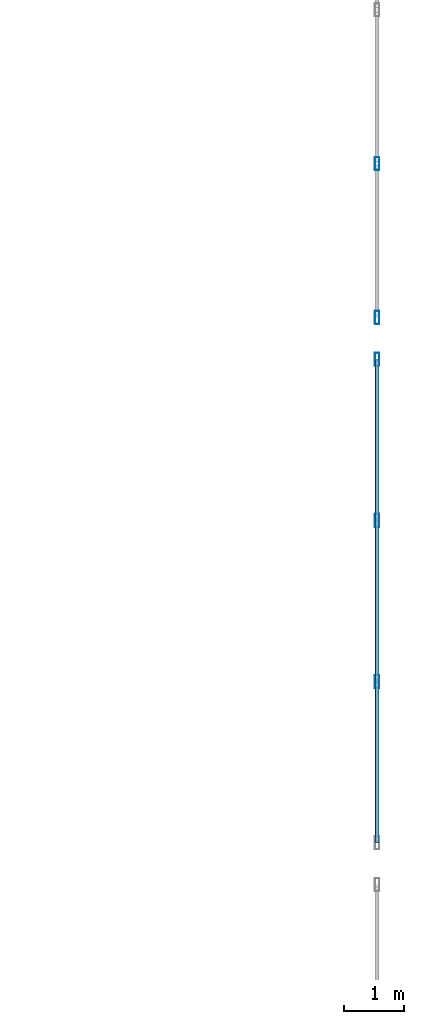
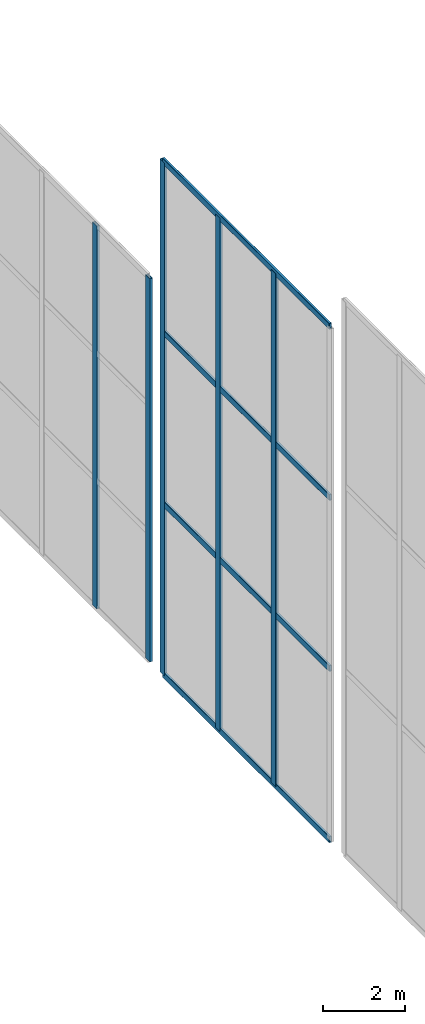
# One storey, part 110 of 163: 9 members, 2 elements without a shape of their own.
"""IFC4 building model written with IfcOpenShell, lengths in metres."""

from ifc_helpers import new_model, si_unit, direction, frame, origin, origin_2d, place, context, subcontext, project, spatial, hollow_rectangle, extrude, material, material_profile, profile_set, type_object, element, aggregate, save


model = new_model("IFC4")

# Units and contexts
model_context = context("Model", 3, precision=1e-05, world=origin(), true_north=direction((0.0, 1.0)))
body_context = subcontext(model_context, "Body", "Model", "MODEL_VIEW")
ifc_project = project(units=[si_unit("LENGTHUNIT", "METRE"), si_unit("AREAUNIT", "SQUARE_METRE"), si_unit("VOLUMEUNIT", "CUBIC_METRE"), si_unit("PLANEANGLEUNIT", "RADIAN"), si_unit("MASSUNIT", "GRAM", prefix="KILO")], contexts=[model_context])

# Site, building, storey
site_placement = place(None, origin())
site = spatial("IfcSite", under=ifc_project, at=site_placement, CompositionType="ELEMENT")
building_placement = place(site_placement, origin())
building = spatial("IfcBuilding", under=site, at=building_placement, Name="Varnabhumi Central Station", CompositionType="ELEMENT")
storey_placement = place(building_placement, frame((0.0, 0.0, 9.60009765625)))
storey = spatial("IfcBuildingStorey", under=building, at=storey_placement, Name="L02", CompositionType="ELEMENT", Elevation=9.60009765625)

# Curtain wall, members
ifc_material = material(Name="Anodised aluminium 6063-T6", Category="aluminium")
curtain_wall_type = type_object("IfcCurtainWallType", Name="CW-VAULT-ARCH-V5", PredefinedType="NOTDEFINED", material=ifc_material)
curtain_wall_1_placement = place(storey_placement, origin())
curtain_wall_1 = element("IfcCurtainWall", 1, at=curtain_wall_1_placement, inside=storey, type_object=curtain_wall_type, Name="Curtain Wall CW-WG4", PredefinedType="NOTDEFINED")
ifc_material_profile_1 = material_profile(ifc_material, hollow_rectangle(XDim=0.074951171875, YDim=0.219970703125, WallThickness=0.0048828125, InnerFilletRadius=0.0009765625, OuterFilletRadius=0.006103515625, at=origin_2d()), Name="Anodised aluminium 6063-T6", Category="aluminium")
ifc_profile_set_1 = profile_set([ifc_material_profile_1], Name="Anodised aluminium 6063-T6")
member_type_1 = type_object("IfcMemberType", Name="CW-MUL-220", PredefinedType="MULLION", material=ifc_profile_set_1)
member_1_placement = place(storey_placement, frame((184.0, 65.449951171875, 0.0), z_axis=(0.0, 0.0, 1.0), x_axis=(1.0, 0.0, 0.0)))
member_1 = element("IfcMember", 2, at=member_1_placement, type_object=member_type_1, Name="Curtain Wall Mullion CW-WG4-M2", PredefinedType="MULLION", context=body_context, shape_type="SweptSolid", body=[
    extrude(hollow_rectangle(XDim=0.074951171875, YDim=0.219970703125, WallThickness=0.0048828125, InnerFilletRadius=0.0009765625, OuterFilletRadius=0.006103515625, at=origin_2d()), origin(), (0.0, 0.0, 1.0), 15.20068359375),
])
member_2_placement = place(storey_placement, frame((184.0, 68.14990234375, 0.0), z_axis=(0.0, 0.0, 1.0), x_axis=(1.0, 0.0, 0.0)))
member_2 = element("IfcMember", 3, at=member_2_placement, type_object=member_type_1, Name="Curtain Wall Mullion CW-WG4-M3", PredefinedType="MULLION", context=body_context, shape_type="SweptSolid", body=[
    extrude(hollow_rectangle(XDim=0.074951171875, YDim=0.219970703125, WallThickness=0.0048828125, InnerFilletRadius=0.0009765625, OuterFilletRadius=0.006103515625, at=origin_2d()), origin(), (0.0, 0.0, 1.0), 15.20068359375),
])
member_3_placement = place(storey_placement, frame((184.0, 70.85009765625, 0.0), z_axis=(0.0, 0.0, 1.0), x_axis=(1.0, 0.0, 0.0)))
member_3 = element("IfcMember", 4, at=member_3_placement, type_object=member_type_1, Name="Curtain Wall Mullion CW-WG4-M4", PredefinedType="MULLION", context=body_context, shape_type="SweptSolid", body=[
    extrude(hollow_rectangle(XDim=0.074951171875, YDim=0.219970703125, WallThickness=0.0048828125, InnerFilletRadius=0.0009765625, OuterFilletRadius=0.006103515625, at=origin_2d()), origin(), (0.0, 0.0, 1.0), 15.20068359375),
])

curtain_wall_2_placement = place(storey_placement, origin())
curtain_wall_2 = element("IfcCurtainWall", 5, at=curtain_wall_2_placement, inside=storey, type_object=curtain_wall_type, Name="Curtain Wall CW-WG5", PredefinedType="NOTDEFINED")
member_4_placement = place(storey_placement, frame((184.0, 71.550048828125, 0.0), z_axis=(0.0, 0.0, 1.0), x_axis=(1.0, 0.0, 0.0)))
member_4 = element("IfcMember", 6, at=member_4_placement, type_object=member_type_1, Name="Curtain Wall Mullion CW-WG5-M1", PredefinedType="MULLION", context=body_context, shape_type="SweptSolid", body=[
    extrude(hollow_rectangle(XDim=0.074951171875, YDim=0.219970703125, WallThickness=0.0048828125, InnerFilletRadius=0.0009765625, OuterFilletRadius=0.006103515625, at=origin_2d()), origin(), (0.0, 0.0, 1.0), 11.346435546875),
])
member_5_placement = place(storey_placement, frame((184.0, 74.126708984375, 0.0), z_axis=(0.0, 0.0, 1.0), x_axis=(1.0, 0.0, 0.0)))
member_5 = element("IfcMember", 7, at=member_5_placement, type_object=member_type_1, Name="Curtain Wall Mullion CW-WG5-M2", PredefinedType="MULLION", context=body_context, shape_type="SweptSolid", body=[
    extrude(hollow_rectangle(XDim=0.074951171875, YDim=0.219970703125, WallThickness=0.0048828125, InnerFilletRadius=0.0009765625, OuterFilletRadius=0.006103515625, at=origin_2d()), origin(), (0.0, 0.0, 1.0), 11.346435546875),
])
aggregate(curtain_wall_2, [member_4, member_5])

# Member
ifc_material_profile_2 = material_profile(ifc_material, hollow_rectangle(XDim=0.06494140625, YDim=0.179931640625, WallThickness=0.00390625, InnerFilletRadius=0.001953125, OuterFilletRadius=0.006103515625, at=origin_2d()), Name="Anodised aluminium 6063-T6", Category="aluminium")
ifc_profile_set_2 = profile_set([ifc_material_profile_2], Name="Anodised aluminium 6063-T6")
member_type_2 = type_object("IfcMemberType", Name="CW-TR-180", PredefinedType="USERDEFINED", material=ifc_profile_set_2)
member_6_placement = place(storey_placement, frame((184.0, 62.75, 0.0), z_axis=(0.0, 1.0, 0.0), x_axis=(-1.0, 0.0, 0.0)))
member_6 = element("IfcMember", 8, at=member_6_placement, type_object=member_type_2, Name="Curtain Wall Transom CW-WG4-T1", ObjectType="TRANSOM", PredefinedType="USERDEFINED", context=body_context, shape_type="SweptSolid", body=[
    extrude(hollow_rectangle(XDim=0.06494140625, YDim=0.179931640625, WallThickness=0.00390625, InnerFilletRadius=0.001953125, OuterFilletRadius=0.006103515625, at=origin_2d()), origin(), (0.0, 0.0, 1.0), 8.10009765625),
])

member_7_placement = place(storey_placement, frame((184.0, 62.75, 5.06689453125), z_axis=(0.0, 1.0, 0.0), x_axis=(-1.0, 0.0, 0.0)))
member_7 = element("IfcMember", 9, at=member_7_placement, type_object=member_type_2, Name="Curtain Wall Transom CW-WG4-T2", ObjectType="TRANSOM", PredefinedType="USERDEFINED", context=body_context, shape_type="SweptSolid", body=[
    extrude(hollow_rectangle(XDim=0.06494140625, YDim=0.179931640625, WallThickness=0.00390625, InnerFilletRadius=0.001953125, OuterFilletRadius=0.006103515625, at=origin_2d()), origin(), (0.0, 0.0, 1.0), 8.10009765625),
])

member_8_placement = place(storey_placement, frame((184.0, 62.75, 10.1337890625), z_axis=(0.0, 1.0, 0.0), x_axis=(-1.0, 0.0, 0.0)))
member_8 = element("IfcMember", 10, at=member_8_placement, type_object=member_type_2, Name="Curtain Wall Transom CW-WG4-T3", ObjectType="TRANSOM", PredefinedType="USERDEFINED", context=body_context, shape_type="SweptSolid", body=[
    extrude(hollow_rectangle(XDim=0.06494140625, YDim=0.179931640625, WallThickness=0.00390625, InnerFilletRadius=0.001953125, OuterFilletRadius=0.006103515625, at=origin_2d()), origin(), (0.0, 0.0, 1.0), 8.10009765625),
])

member_9_placement = place(storey_placement, frame((184.0, 62.75, 15.20068359375), z_axis=(0.0, 1.0, 0.0), x_axis=(-1.0, 0.0, 0.0)))
member_9 = element("IfcMember", 11, at=member_9_placement, type_object=member_type_2, Name="Curtain Wall Transom CW-WG4-T4", ObjectType="TRANSOM", PredefinedType="USERDEFINED", context=body_context, shape_type="SweptSolid", body=[
    extrude(hollow_rectangle(XDim=0.06494140625, YDim=0.179931640625, WallThickness=0.00390625, InnerFilletRadius=0.001953125, OuterFilletRadius=0.006103515625, at=origin_2d()), origin(), (0.0, 0.0, 1.0), 8.10009765625),
])

aggregate(curtain_wall_1, [member_1, member_2, member_3, member_6, member_7, member_8, member_9])

save(model, "model.ifc")
